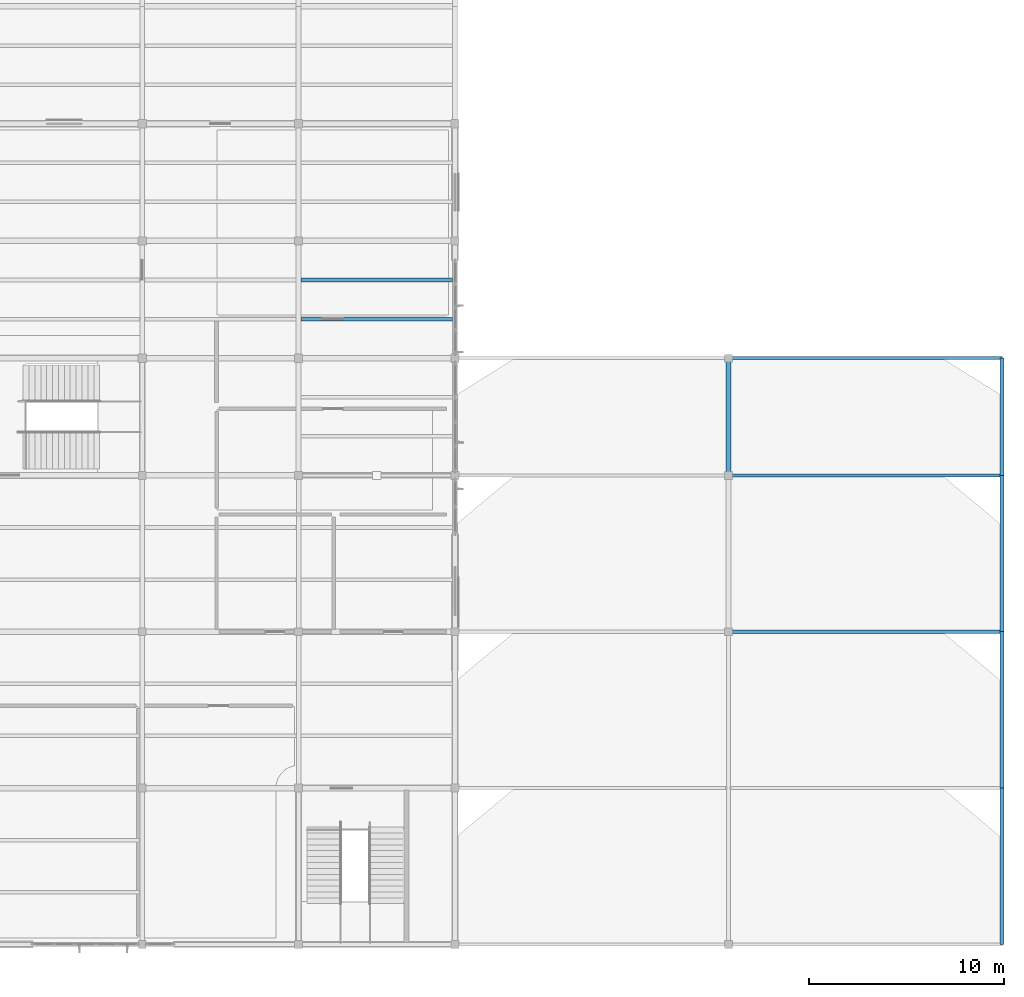
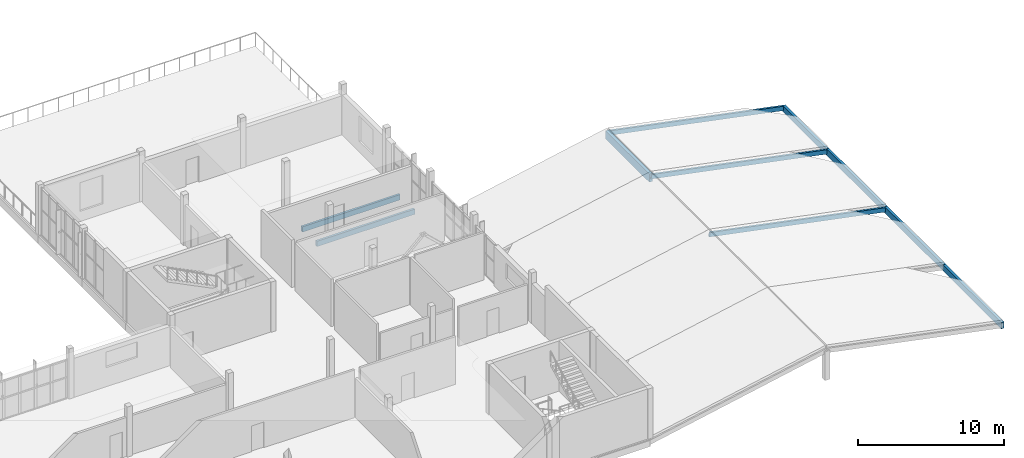
# One storey, part 22 of 45: 10 beams.
"""IFC4 building model written with IfcOpenShell, lengths in metres."""

import ifcopenshell
import ifcopenshell.guid

model = None  # the IFC model being written
_history = None  # IfcOwnerHistory: only IFC2X3 demands one
_inside = {}  # id of a spatial element -> (the spatial element, [elements in it])
_under = {}  # id of a project, library or spatial element -> (it, [spatial elements below it])
_declared = {}  # id of a project -> (the project, [libraries it declares])
_typed = {}  # id of a type object -> (the type object, [elements of that type])
_made_of = {}  # id of a material, layer set ... -> (it, [elements and type objects made of it])


def new_model(schema):
    """Start an empty IFC model of exactly this schema.

    Asked for "IFC4X3", IfcOpenShell would pick the latest addendum, in which some entities
    have other attributes; the version numbers below select the first issue.
    IFC2X3 requires an IfcOwnerHistory on every rooted entity: one is made here for all.
    """
    global model, _history
    if schema == "IFC4X3":
        model = ifcopenshell.file(schema_version=(4, 3, 0, 0))
    else:
        model = ifcopenshell.file(schema=schema)
    _inside.clear()
    _under.clear()
    _declared.clear()
    _typed.clear()
    _made_of.clear()
    _history = None
    if model.schema == "IFC2X3":
        org = make("IfcOrganization", Name="unknown")
        user = make(
            "IfcPersonAndOrganization",
            ThePerson=make("IfcPerson", FamilyName="unknown"),
            TheOrganization=org,
        )
        app = make(
            "IfcApplication",
            ApplicationDeveloper=org,
            Version="unknown",
            ApplicationFullName="unknown",
            ApplicationIdentifier="unknown",
        )
        _history = make(
            "IfcOwnerHistory",
            OwningUser=user,
            OwningApplication=app,
            ChangeAction="ADDED",
            CreationDate=0,
        )
    return model


def make(cls, **values):
    """One entity of the class cls with the attributes given. An attribute that is None is left unset."""
    return model.create_entity(
        cls, **{name: value for name, value in values.items() if value is not None}
    )


def rooted(cls, **values):
    """An entity with a GlobalId (a new one), such as an element, a storey or a relation."""
    return make(cls, GlobalId=ifcopenshell.guid.new(), OwnerHistory=_history, **values)


def si_unit(unit_type, name, prefix=None):
    """IfcSIUnit, for example si_unit("LENGTHUNIT", "METRE", prefix="MILLI")."""
    return make("IfcSIUnit", UnitType=unit_type, Prefix=prefix, Name=name)


def assignment(units):
    """IfcUnitAssignment: the units of a project."""
    return None if units is None else make("IfcUnitAssignment", Units=units)


def point(xyz):
    """IfcCartesianPoint."""
    return None if xyz is None else make("IfcCartesianPoint", Coordinates=xyz)


def direction(xyz):
    """IfcDirection."""
    return None if xyz is None else make("IfcDirection", DirectionRatios=xyz)


def frame(location, z_axis=None, x_axis=None):
    """IfcAxis2Placement3D, a coordinate frame: its origin and axes. An axis left out is left unset."""
    return make(
        "IfcAxis2Placement3D",
        Location=point(location),
        Axis=direction(z_axis),
        RefDirection=direction(x_axis),
    )


def frame_2d(location, x_axis=None):
    """IfcAxis2Placement2D, a coordinate frame in the plane: its origin and x axis."""
    return make(
        "IfcAxis2Placement2D", Location=point(location), RefDirection=direction(x_axis)
    )


def origin():
    """The frame at (0, 0, 0) with its axes left unset."""
    return frame((0.0, 0.0, 0.0))


def origin_2d():
    """The frame at (0, 0) in the plane with its x axis left unset."""
    return frame_2d((0.0, 0.0))


def place(relative_to, where):
    """IfcLocalPlacement: puts the frame where relative to a parent placement (None: the world)."""
    return make(
        "IfcLocalPlacement", PlacementRelTo=relative_to, RelativePlacement=where
    )


def context(
    kind, dimensions, precision=None, world=None, true_north=None, identifier=None
):
    """IfcGeometricRepresentationContext, for example the 3D "Model" context."""
    return make(
        "IfcGeometricRepresentationContext",
        ContextIdentifier=identifier,
        ContextType=kind,
        CoordinateSpaceDimension=dimensions,
        Precision=precision,
        WorldCoordinateSystem=world,
        TrueNorth=true_north,
    )


def subcontext(parent, identifier, kind, view, scale=None):
    """IfcGeometricRepresentationSubContext, for example "Body" below "Model"."""
    return make(
        "IfcGeometricRepresentationSubContext",
        ContextIdentifier=identifier,
        ContextType=kind,
        ParentContext=parent,
        TargetScale=scale,
        TargetView=view,
    )


def project(units=None, contexts=None):
    """IfcProject with its units and contexts."""
    return rooted(
        "IfcProject",
        Name="project",
        RepresentationContexts=contexts,
        UnitsInContext=assignment(units),
    )


def spatial(cls, under=None, at=None, **own):
    """A site, building, storey or space (cls), placed at a placement, below another one or the project."""
    s = rooted(cls, ObjectPlacement=at, **own)
    if under is not None:
        _under.setdefault(under.id(), (under, []))[1].append(s)
    return s


def profile(cls, at=None, kind="AREA", **sizes):
    """A parametric profile (cls). Its sizes go by their IFC names, for example OverallWidth=200.0."""
    return make(cls, ProfileType=kind, Position=at, **sizes)


def rectangle(**sizes):
    """IfcRectangleProfileDef."""
    return profile("IfcRectangleProfileDef", **sizes)


def extrude(swept, where, along, depth):
    """IfcExtrudedAreaSolid: the profile swept, set in the frame where, extruded along a direction by depth."""
    return make(
        "IfcExtrudedAreaSolid",
        SweptArea=swept,
        Position=where,
        ExtrudedDirection=direction(along),
        Depth=depth,
    )


def shape(context_of_items, identifier, shape_type, items):
    """IfcShapeRepresentation: the items that make up one representation, for example the "Body"."""
    return make(
        "IfcShapeRepresentation",
        ContextOfItems=context_of_items,
        RepresentationIdentifier=identifier,
        RepresentationType=shape_type,
        Items=items,
    )


def material(Name=None, Category=None):
    """IfcMaterial."""
    return make("IfcMaterial", Name=Name, Category=Category)


def material_profile(
    of_material, cross_section, Name=None, Category=None, Priority=None
):
    """IfcMaterialProfile: a cross section and its material."""
    return make(
        "IfcMaterialProfile",
        Name=Name,
        Material=of_material,
        Profile=cross_section,
        Priority=Priority,
        Category=Category,
    )


def profile_set(profiles, Name=None, composite=None):
    """IfcMaterialProfileSet."""
    return make(
        "IfcMaterialProfileSet",
        Name=Name,
        MaterialProfiles=profiles,
        CompositeProfile=composite,
    )


def made_of(thing, what):
    """Note that an element or type object is made of a material, layer set ...; save() writes the relation."""
    if what is not None:
        _made_of.setdefault(what.id(), (what, []))[1].append(thing)
    return thing


def type_object(cls, material=None, **own):
    """A type object (cls), such as IfcWallType, which elements share."""
    return made_of(rooted(cls, **own), material)


def element(
    cls,
    number,
    at=None,
    inside=None,
    cuts=None,
    type_object=None,
    material=None,
    context=None,
    identifier="Body",
    shape_type=None,
    held_by="IfcProductDefinitionShape",
    body=None,
    shapes=None,
    **own,
):
    """One element of the class cls, such as IfcWall. Its Tag is "e" and its number.

    at: its placement. inside: the storey or other place that contains it. cuts: it is an
    opening in that element (IfcRelVoidsElement). A single representation is given by context,
    identifier, shape_type and body (its items); several are given by shapes. held_by: the class
    of the entity that holds the representations. save() writes the other relations.
    """
    e = rooted(cls, Tag="e%d" % number, ObjectPlacement=at, **own)
    if body is not None:
        shapes = [shape(context, identifier, shape_type, body)]
    if shapes is not None:
        e.Representation = make(held_by, Representations=shapes)
    if inside is not None:
        _inside.setdefault(inside.id(), (inside, []))[1].append(e)
    if cuts is not None:
        rooted(
            "IfcRelVoidsElement", RelatingBuildingElement=cuts, RelatedOpeningElement=e
        )
    if type_object is not None:
        _typed.setdefault(type_object.id(), (type_object, []))[1].append(e)
    return made_of(e, material)


def aggregate(whole, parts):
    """IfcRelAggregates: a whole, such as a stair, and the parts it consists of."""
    return rooted("IfcRelAggregates", RelatingObject=whole, RelatedObjects=parts)


def save(model, path):
    """Write the relations noted so far, then the file.

    IfcRelAggregates (storeys below a building ...), IfcRelContainedInSpatialStructure (elements
    in a storey), IfcRelDefinesByType, IfcRelAssociatesMaterial and IfcRelDeclares: one each for
    every whole, place, type object, material and project.
    """
    for whole, parts in _under.values():
        aggregate(whole, parts)
    for where, things in _inside.values():
        rooted(
            "IfcRelContainedInSpatialStructure",
            RelatedElements=things,
            RelatingStructure=where,
        )
    for kind, things in _typed.values():
        rooted("IfcRelDefinesByType", RelatedObjects=things, RelatingType=kind)
    for what, things in _made_of.values():
        rooted("IfcRelAssociatesMaterial", RelatedObjects=things, RelatingMaterial=what)
    for by, libraries in _declared.values():
        rooted("IfcRelDeclares", RelatingContext=by, RelatedDefinitions=libraries)
    model.write(path)


model = new_model("IFC4")

# Units and contexts
model_context = context("Model", 3, precision=1e-05, world=origin(), true_north=direction((0.0, 1.0)))
body_context = subcontext(model_context, "Body", "Model", "MODEL_VIEW")
ifc_project = project(units=[si_unit("LENGTHUNIT", "METRE"), si_unit("AREAUNIT", "SQUARE_METRE"), si_unit("VOLUMEUNIT", "CUBIC_METRE"), si_unit("PLANEANGLEUNIT", "RADIAN"), si_unit("MASSUNIT", "GRAM", prefix="KILO")], contexts=[model_context])

# Site, building, storey
site_placement = place(None, origin())
site = spatial("IfcSite", under=ifc_project, at=site_placement, CompositionType="ELEMENT")
building_placement = place(site_placement, origin())
building = spatial("IfcBuilding", under=site, at=building_placement, Name="Solvane Community Centre", CompositionType="ELEMENT")
storey_placement = place(building_placement, frame((0.0, 0.0, 13.800048828125)))
storey = spatial("IfcBuildingStorey", under=building, at=storey_placement, Name="L03", CompositionType="ELEMENT", Elevation=13.800048828125)

# Beams
ifc_material = material(Name="Glulam GL28h", Category="wood")
ifc_material_profile_1 = material_profile(ifc_material, rectangle(XDim=0.179931640625, YDim=0.43994140625, at=origin_2d()), Name="GL28h 180x440")
ifc_profile_set_1 = profile_set([ifc_material_profile_1], Name="Glulam GL28h")
beam_type_1 = type_object("IfcBeamType", Name="Glulam Floor Joist 180x440", PredefinedType="JOIST", material=ifc_profile_set_1)
for number, where, z_axis, x_axis, name in (
    (1, (132.1298828125, 38.0, -0.43994140625), (1.0, 0.0, 0.0), (0.0, 1.0, 0.0), "Beam BM-L03-1321_380-1399_380"),
    (2, (132.1298828125, 40.0, -0.43994140625), (1.0, 0.0, 0.0), (0.0, 1.0, 0.0), "Beam BM-L03-1321_400-1399_400"),
):
    element("IfcBeam", number, at=place(storey_placement, frame(where, z_axis=z_axis, x_axis=x_axis)), inside=storey, type_object=beam_type_1, Name=name, PredefinedType="JOIST", context=body_context, shape_type="SweptSolid", body=[
        extrude(rectangle(XDim=0.179931640625, YDim=0.43994140625, at=origin_2d()), origin(), (0.0, 0.0, 1.0), 7.740234375),
    ])
ifc_material_profile_2 = material_profile(ifc_material, rectangle(XDim=0.260009765625, YDim=0.679931640625, at=origin_2d()), Name="GL28h 260x680")
ifc_profile_set_2 = profile_set([ifc_material_profile_2], Name="Glulam GL28h")
beam_type_2 = type_object("IfcBeamType", Name="Glulam Primary Girder 260x680", PredefinedType="USERDEFINED", material=ifc_profile_set_2)
beam_1_placement = place(storey_placement, frame((154.0, 30.0, 2.260009765625), z_axis=(0.0, 1.0, 0.0), x_axis=(-1.0, 0.0, 0.0)))
element("IfcBeam", 3, at=beam_1_placement, inside=storey, type_object=beam_type_2, Name="Beam BM-L03-1540_300-1540_360", ObjectType="GIRDER", PredefinedType="USERDEFINED", context=body_context, shape_type="SweptSolid", body=[
    extrude(rectangle(XDim=0.260009765625, YDim=0.679931640625, at=origin_2d()), origin(), (0.0, 0.0, 1.0), 6.0),
])
ifc_material_profile_3 = material_profile(ifc_material, rectangle(XDim=0.159912109375, YDim=0.360107421875, at=origin_2d()), Name="GL28h 160x360")
ifc_profile_set_3 = profile_set([ifc_material_profile_3], Name="Glulam GL28h")
beam_type_3 = type_object("IfcBeamType", Name="Glulam Roof Rafter 160x360", PredefinedType="BEAM", material=ifc_profile_set_3)
for number, where, z_axis, x_axis, name in (
    (4, (154.0, 22.0, 2.375), (0.980580017995, 0.0, -0.196119423591), (0.0, 1.0, 0.0), "Beam BM-L03-1540_220-1680_220"),
    (5, (154.0, 30.0, 2.375), (0.980580017995, 0.0, -0.196119423591), (0.0, 1.0, 0.0), "Beam BM-L03-1540_300-1680_300"),
    (6, (154.0, 36.0, 2.375), (0.980580017995, 0.0, -0.196119423591), (0.0, 1.0, 0.0), "Beam BM-L03-1540_360-1680_360"),
):
    element("IfcBeam", number, at=place(storey_placement, frame(where, z_axis=z_axis, x_axis=x_axis)), inside=storey, type_object=beam_type_3, Name=name, PredefinedType="BEAM", context=body_context, shape_type="SweptSolid", body=[
        extrude(rectangle(XDim=0.159912109375, YDim=0.360107421875, at=origin_2d()), origin(), (0.0, 0.0, 1.0), 14.27734375),
    ])
ifc_material_profile_4 = material_profile(ifc_material, rectangle(XDim=0.199951171875, YDim=0.52001953125, at=origin_2d()), Name="GL28h 200x520")
ifc_profile_set_4 = profile_set([ifc_material_profile_4], Name="Glulam GL28h")
beam_type_4 = type_object("IfcBeamType", Name="Glulam Spandrel Beam 200x520", PredefinedType="SPANDREL", material=ifc_profile_set_4)
for number, where, z_axis, x_axis, name in (
    (7, (168.0, 6.0, -0.4599609375), (0.0, 1.0, 0.0), (-1.0, 0.0, 0.0), "Beam BM-L03-1680_60-1680_140"),
    (8, (168.0, 14.0, -0.4599609375), (0.0, 1.0, 0.0), (-1.0, 0.0, 0.0), "Beam BM-L03-1680_140-1680_220"),
    (9, (168.0, 22.0, -0.4599609375), (0.0, 1.0, 0.0), (-1.0, 0.0, 0.0), "Beam BM-L03-1680_220-1680_300"),
):
    element("IfcBeam", number, at=place(storey_placement, frame(where, z_axis=z_axis, x_axis=x_axis)), inside=storey, type_object=beam_type_4, Name=name, PredefinedType="SPANDREL", context=body_context, shape_type="SweptSolid", body=[
        extrude(rectangle(XDim=0.199951171875, YDim=0.52001953125, at=origin_2d()), origin(), (0.0, 0.0, 1.0), 8.0),
    ])
beam_2_placement = place(storey_placement, frame((168.0, 30.0, -0.4599609375), z_axis=(0.0, 1.0, 0.0), x_axis=(-1.0, 0.0, 0.0)))
element("IfcBeam", 10, at=beam_2_placement, inside=storey, type_object=beam_type_4, Name="Beam BM-L03-1680_300-1680_360", PredefinedType="SPANDREL", context=body_context, shape_type="SweptSolid", body=[
    extrude(rectangle(XDim=0.199951171875, YDim=0.52001953125, at=origin_2d()), origin(), (0.0, 0.0, 1.0), 6.0),
])

save(model, "model.ifc")
